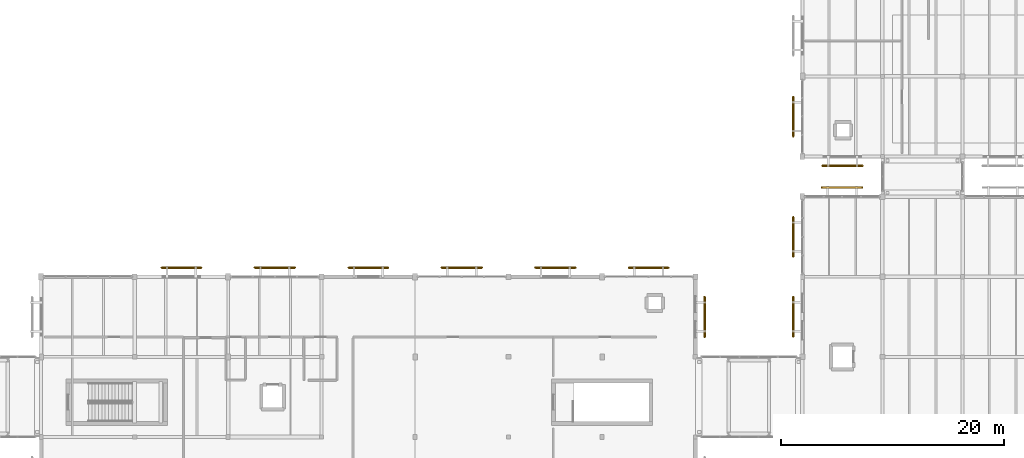
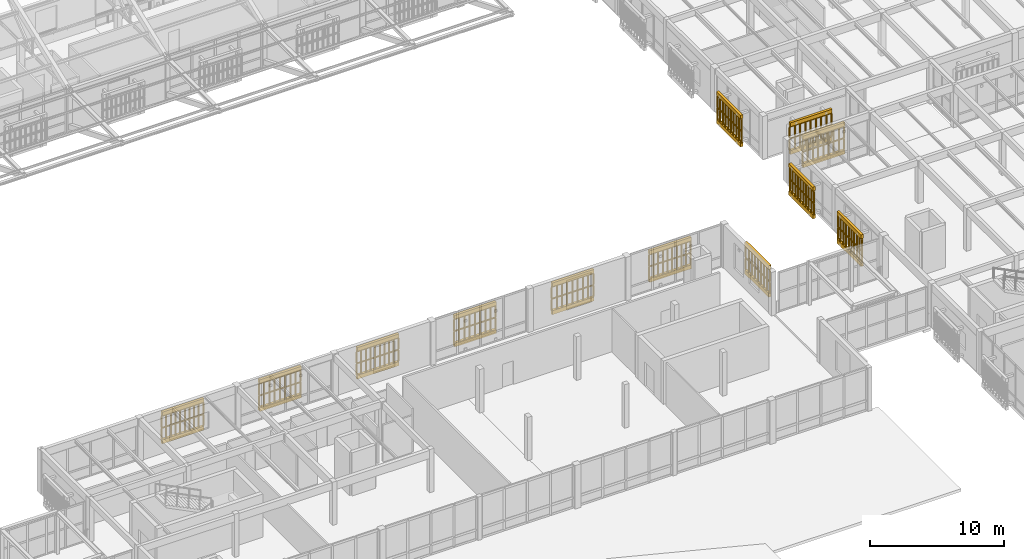
# One storey, part 203 of 217: 24 coverings, 24 railings.
"""IFC4 building model written with IfcOpenShell, lengths in metres."""

from ifc_helpers import new_model, si_unit, direction, frame, origin, origin_2d, place, context, subcontext, project, spatial, polyline, circle, outline, extrude, material, layer, layer_set, type_object, element, save


model = new_model("IFC4")

# Units and contexts
model_context = context("Model", 3, precision=1e-05, world=origin(), true_north=direction((0.0, 1.0)))
body_context = subcontext(model_context, "Body", "Model", "MODEL_VIEW")
ifc_project = project(units=[si_unit("LENGTHUNIT", "METRE"), si_unit("AREAUNIT", "SQUARE_METRE"), si_unit("VOLUMEUNIT", "CUBIC_METRE"), si_unit("PLANEANGLEUNIT", "RADIAN"), si_unit("MASSUNIT", "GRAM", prefix="KILO")], contexts=[model_context])

# Site, building, storey
site_placement = place(None, origin())
site = spatial("IfcSite", under=ifc_project, at=site_placement, CompositionType="ELEMENT")
building_placement = place(site_placement, origin())
building = spatial("IfcBuilding", under=site, at=building_placement, Name="Mazaris Harbour Polytechnic", CompositionType="ELEMENT")
storey_placement = place(building_placement, frame((0.0, 0.0, 9.60009765625)))
storey = spatial("IfcBuildingStorey", under=building, at=storey_placement, Name="L02", CompositionType="ELEMENT", Elevation=9.60009765625)

# Railings
ifc_material_1 = material(Name="Perforated Earth-Coloured Terracotta Block", Category="masonry")
railing_type = type_object("IfcRailingType", Name="Perforated Earth-Block Claustra Lattice 1040", PredefinedType="BALUSTRADE", material=ifc_material_1)
for number, where, name in (
    (1, (124.175048828125, 44.02001953125, 0.52001953125), "V2 L02 Lower Perforated Terracotta Block Screen 74"),
    (2, (124.175048828125, 44.02001953125, 1.60986328125), "V2 L02 Upper Perforated Terracotta Block Screen 74"),
):
    element("IfcRailing", number, at=place(storey_placement, frame(where)), inside=storey, type_object=railing_type, Name=name, PredefinedType="BALUSTRADE", context=body_context, shape_type="SweptSolid", body=[
        extrude(circle(Radius=0.06982421875, at=origin_2d()), frame((0.0, 0.0, 1.02001953125), z_axis=(1.0, 0.0, 0.0), x_axis=(0.0, 1.0, 0.0)), (0.0, 0.0, 1.0), 3.599853515625),
        extrude(circle(Radius=0.074951171875, at=origin_2d()), origin(), (0.0, 0.0, 1.0), 0.9501953125),
        extrude(circle(Radius=0.074951171875, at=origin_2d()), frame((0.449951171875, 0.0, 0.0)), (0.0, 0.0, 1.0), 0.9501953125),
        extrude(circle(Radius=0.074951171875, at=origin_2d()), frame((0.89990234375, 0.0, 0.0)), (0.0, 0.0, 1.0), 0.9501953125),
        extrude(circle(Radius=0.074951171875, at=origin_2d()), frame((1.349853515625, 0.0, 0.0)), (0.0, 0.0, 1.0), 0.9501953125),
        extrude(circle(Radius=0.074951171875, at=origin_2d()), frame((1.7998046875, 0.0, 0.0)), (0.0, 0.0, 1.0), 0.9501953125),
        extrude(circle(Radius=0.074951171875, at=origin_2d()), frame((2.25, 0.0, 0.0)), (0.0, 0.0, 1.0), 0.9501953125),
        extrude(circle(Radius=0.074951171875, at=origin_2d()), frame((2.699951171875, 0.0, 0.0)), (0.0, 0.0, 1.0), 0.9501953125),
        extrude(circle(Radius=0.074951171875, at=origin_2d()), frame((3.14990234375, 0.0, 0.0)), (0.0, 0.0, 1.0), 0.9501953125),
        extrude(circle(Radius=0.074951171875, at=origin_2d()), frame((3.599853515625, 0.0, 0.0)), (0.0, 0.0, 1.0), 0.9501953125),
    ])
for number, where, name in (
    (3, (121.580078125, 30.60498046875, 0.52001953125), "V2 L02 Lower Perforated Terracotta Block Screen 82"),
    (4, (121.580078125, 30.60498046875, 1.60986328125), "V2 L02 Upper Perforated Terracotta Block Screen 82"),
    (5, (121.580078125, 37.784912109375, 0.52001953125), "V2 L02 Lower Perforated Terracotta Block Screen 83"),
    (6, (121.580078125, 37.784912109375, 1.60986328125), "V2 L02 Upper Perforated Terracotta Block Screen 83"),
):
    element("IfcRailing", number, at=place(storey_placement, frame(where)), inside=storey, type_object=railing_type, Name=name, PredefinedType="BALUSTRADE", context=body_context, shape_type="SweptSolid", body=[
        extrude(circle(Radius=0.06982421875, at=origin_2d()), frame((0.0, 0.0, 1.02001953125), z_axis=(0.0, 1.0, 0.0), x_axis=(-1.0, 0.0, 0.0)), (0.0, 0.0, 1.0), 3.60009765625),
        extrude(circle(Radius=0.074951171875, at=origin_2d()), origin(), (0.0, 0.0, 1.0), 0.9501953125),
        extrude(circle(Radius=0.074951171875, at=origin_2d()), frame((0.0, 0.39990234375, 0.0)), (0.0, 0.0, 1.0), 0.9501953125),
        extrude(circle(Radius=0.074951171875, at=origin_2d()), frame((0.0, 0.800048828125, 0.0)), (0.0, 0.0, 1.0), 0.9501953125),
        extrude(circle(Radius=0.074951171875, at=origin_2d()), frame((0.0, 1.199951171875, 0.0)), (0.0, 0.0, 1.0), 0.9501953125),
        extrude(circle(Radius=0.074951171875, at=origin_2d()), frame((0.0, 1.60009765625, 0.0)), (0.0, 0.0, 1.0), 0.9501953125),
        extrude(circle(Radius=0.074951171875, at=origin_2d()), frame((0.0, 2.0, 0.0)), (0.0, 0.0, 1.0), 0.9501953125),
        extrude(circle(Radius=0.074951171875, at=origin_2d()), frame((0.0, 2.400146484375, 0.0)), (0.0, 0.0, 1.0), 0.9501953125),
        extrude(circle(Radius=0.074951171875, at=origin_2d()), frame((0.0, 2.800048828125, 0.0)), (0.0, 0.0, 1.0), 0.9501953125),
        extrude(circle(Radius=0.074951171875, at=origin_2d()), frame((0.0, 3.2001953125, 0.0)), (0.0, 0.0, 1.0), 0.9501953125),
        extrude(circle(Radius=0.074951171875, at=origin_2d()), frame((0.0, 3.60009765625, 0.0)), (0.0, 0.0, 1.0), 0.9501953125),
    ])
for number, where, name in (
    (7, (64.804931640625, 36.820068359375, 0.52001953125), "V3 L02 Lower Perforated Terracotta Block Screen 122"),
    (8, (64.804931640625, 36.820068359375, 1.60986328125), "V3 L02 Upper Perforated Terracotta Block Screen 122"),
):
    element("IfcRailing", number, at=place(storey_placement, frame(where)), inside=storey, type_object=railing_type, Name=name, PredefinedType="BALUSTRADE", context=body_context, shape_type="SweptSolid", body=[
        extrude(circle(Radius=0.06982421875, at=origin_2d()), frame((0.0, 0.0, 1.02001953125), z_axis=(1.0, 0.0, 0.0), x_axis=(0.0, 1.0, 0.0)), (0.0, 0.0, 1.0), 3.60009765625),
        extrude(circle(Radius=0.074951171875, at=origin_2d()), origin(), (0.0, 0.0, 1.0), 0.9501953125),
        extrude(circle(Radius=0.074951171875, at=origin_2d()), frame((0.39990234375, 0.0, 0.0)), (0.0, 0.0, 1.0), 0.9501953125),
        extrude(circle(Radius=0.074951171875, at=origin_2d()), frame((0.800048828125, 0.0, 0.0)), (0.0, 0.0, 1.0), 0.9501953125),
        extrude(circle(Radius=0.074951171875, at=origin_2d()), frame((1.199951171875, 0.0, 0.0)), (0.0, 0.0, 1.0), 0.9501953125),
        extrude(circle(Radius=0.074951171875, at=origin_2d()), frame((1.60009765625, 0.0, 0.0)), (0.0, 0.0, 1.0), 0.9501953125),
        extrude(circle(Radius=0.074951171875, at=origin_2d()), frame((2.0, 0.0, 0.0)), (0.0, 0.0, 1.0), 0.9501953125),
        extrude(circle(Radius=0.074951171875, at=origin_2d()), frame((2.400146484375, 0.0, 0.0)), (0.0, 0.0, 1.0), 0.9501953125),
        extrude(circle(Radius=0.074951171875, at=origin_2d()), frame((2.800048828125, 0.0, 0.0)), (0.0, 0.0, 1.0), 0.9501953125),
        extrude(circle(Radius=0.074951171875, at=origin_2d()), frame((3.2001953125, 0.0, 0.0)), (0.0, 0.0, 1.0), 0.9501953125),
        extrude(circle(Radius=0.074951171875, at=origin_2d()), frame((3.60009765625, 0.0, 0.0)), (0.0, 0.0, 1.0), 0.9501953125),
    ])
for number, where, name in (
    (9, (73.195068359375, 36.820068359375, 0.52001953125), "V3 L02 Lower Perforated Terracotta Block Screen 123"),
    (10, (73.195068359375, 36.820068359375, 1.60986328125), "V3 L02 Upper Perforated Terracotta Block Screen 123"),
):
    element("IfcRailing", number, at=place(storey_placement, frame(where)), inside=storey, type_object=railing_type, Name=name, PredefinedType="BALUSTRADE", context=body_context, shape_type="SweptSolid", body=[
        extrude(circle(Radius=0.06982421875, at=origin_2d()), frame((0.0, 0.0, 1.02001953125), z_axis=(1.0, 0.0, 0.0), x_axis=(0.0, 1.0, 0.0)), (0.0, 0.0, 1.0), 3.599853515625),
        extrude(circle(Radius=0.074951171875, at=origin_2d()), origin(), (0.0, 0.0, 1.0), 0.9501953125),
        extrude(circle(Radius=0.074951171875, at=origin_2d()), frame((0.449951171875, 0.0, 0.0)), (0.0, 0.0, 1.0), 0.9501953125),
        extrude(circle(Radius=0.074951171875, at=origin_2d()), frame((0.89990234375, 0.0, 0.0)), (0.0, 0.0, 1.0), 0.9501953125),
        extrude(circle(Radius=0.074951171875, at=origin_2d()), frame((1.349853515625, 0.0, 0.0)), (0.0, 0.0, 1.0), 0.9501953125),
        extrude(circle(Radius=0.074951171875, at=origin_2d()), frame((1.7998046875, 0.0, 0.0)), (0.0, 0.0, 1.0), 0.9501953125),
        extrude(circle(Radius=0.074951171875, at=origin_2d()), frame((2.25, 0.0, 0.0)), (0.0, 0.0, 1.0), 0.9501953125),
        extrude(circle(Radius=0.074951171875, at=origin_2d()), frame((2.699951171875, 0.0, 0.0)), (0.0, 0.0, 1.0), 0.9501953125),
        extrude(circle(Radius=0.074951171875, at=origin_2d()), frame((3.14990234375, 0.0, 0.0)), (0.0, 0.0, 1.0), 0.9501953125),
        extrude(circle(Radius=0.074951171875, at=origin_2d()), frame((3.599853515625, 0.0, 0.0)), (0.0, 0.0, 1.0), 0.9501953125),
    ])
for number, where, name in (
    (11, (81.60498046875, 36.820068359375, 0.52001953125), "V3 L02 Lower Perforated Terracotta Block Screen 124"),
    (12, (81.60498046875, 36.820068359375, 1.60986328125), "V3 L02 Upper Perforated Terracotta Block Screen 124"),
):
    element("IfcRailing", number, at=place(storey_placement, frame(where)), inside=storey, type_object=railing_type, Name=name, PredefinedType="BALUSTRADE", context=body_context, shape_type="SweptSolid", body=[
        extrude(circle(Radius=0.06982421875, at=origin_2d()), frame((0.0, 0.0, 1.02001953125), z_axis=(1.0, 0.0, 0.0), x_axis=(0.0, 1.0, 0.0)), (0.0, 0.0, 1.0), 3.60009765625),
        extrude(circle(Radius=0.074951171875, at=origin_2d()), origin(), (0.0, 0.0, 1.0), 0.9501953125),
        extrude(circle(Radius=0.074951171875, at=origin_2d()), frame((0.39990234375, 0.0, 0.0)), (0.0, 0.0, 1.0), 0.9501953125),
        extrude(circle(Radius=0.074951171875, at=origin_2d()), frame((0.800048828125, 0.0, 0.0)), (0.0, 0.0, 1.0), 0.9501953125),
        extrude(circle(Radius=0.074951171875, at=origin_2d()), frame((1.199951171875, 0.0, 0.0)), (0.0, 0.0, 1.0), 0.9501953125),
        extrude(circle(Radius=0.074951171875, at=origin_2d()), frame((1.60009765625, 0.0, 0.0)), (0.0, 0.0, 1.0), 0.9501953125),
        extrude(circle(Radius=0.074951171875, at=origin_2d()), frame((2.0, 0.0, 0.0)), (0.0, 0.0, 1.0), 0.9501953125),
        extrude(circle(Radius=0.074951171875, at=origin_2d()), frame((2.400146484375, 0.0, 0.0)), (0.0, 0.0, 1.0), 0.9501953125),
        extrude(circle(Radius=0.074951171875, at=origin_2d()), frame((2.800048828125, 0.0, 0.0)), (0.0, 0.0, 1.0), 0.9501953125),
        extrude(circle(Radius=0.074951171875, at=origin_2d()), frame((3.2001953125, 0.0, 0.0)), (0.0, 0.0, 1.0), 0.9501953125),
        extrude(circle(Radius=0.074951171875, at=origin_2d()), frame((3.60009765625, 0.0, 0.0)), (0.0, 0.0, 1.0), 0.9501953125),
    ])
for number, where, name in (
    (13, (89.9951171875, 36.820068359375, 0.52001953125), "V3 L02 Lower Perforated Terracotta Block Screen 125"),
    (14, (89.9951171875, 36.820068359375, 1.60986328125), "V3 L02 Upper Perforated Terracotta Block Screen 125"),
    (15, (98.405029296875, 36.820068359375, 0.52001953125), "V3 L02 Lower Perforated Terracotta Block Screen 126"),
    (16, (98.405029296875, 36.820068359375, 1.60986328125), "V3 L02 Upper Perforated Terracotta Block Screen 126"),
):
    element("IfcRailing", number, at=place(storey_placement, frame(where)), inside=storey, type_object=railing_type, Name=name, PredefinedType="BALUSTRADE", context=body_context, shape_type="SweptSolid", body=[
        extrude(circle(Radius=0.06982421875, at=origin_2d()), frame((0.0, 0.0, 1.02001953125), z_axis=(1.0, 0.0, 0.0), x_axis=(0.0, 1.0, 0.0)), (0.0, 0.0, 1.0), 3.599853515625),
        extrude(circle(Radius=0.074951171875, at=origin_2d()), origin(), (0.0, 0.0, 1.0), 0.9501953125),
        extrude(circle(Radius=0.074951171875, at=origin_2d()), frame((0.449951171875, 0.0, 0.0)), (0.0, 0.0, 1.0), 0.9501953125),
        extrude(circle(Radius=0.074951171875, at=origin_2d()), frame((0.89990234375, 0.0, 0.0)), (0.0, 0.0, 1.0), 0.9501953125),
        extrude(circle(Radius=0.074951171875, at=origin_2d()), frame((1.349853515625, 0.0, 0.0)), (0.0, 0.0, 1.0), 0.9501953125),
        extrude(circle(Radius=0.074951171875, at=origin_2d()), frame((1.7998046875, 0.0, 0.0)), (0.0, 0.0, 1.0), 0.9501953125),
        extrude(circle(Radius=0.074951171875, at=origin_2d()), frame((2.25, 0.0, 0.0)), (0.0, 0.0, 1.0), 0.9501953125),
        extrude(circle(Radius=0.074951171875, at=origin_2d()), frame((2.699951171875, 0.0, 0.0)), (0.0, 0.0, 1.0), 0.9501953125),
        extrude(circle(Radius=0.074951171875, at=origin_2d()), frame((3.14990234375, 0.0, 0.0)), (0.0, 0.0, 1.0), 0.9501953125),
        extrude(circle(Radius=0.074951171875, at=origin_2d()), frame((3.599853515625, 0.0, 0.0)), (0.0, 0.0, 1.0), 0.9501953125),
    ])
for number, where, name in (
    (17, (106.794921875, 36.820068359375, 0.52001953125), "V3 L02 Lower Perforated Terracotta Block Screen 127"),
    (18, (106.794921875, 36.820068359375, 1.60986328125), "V3 L02 Upper Perforated Terracotta Block Screen 127"),
):
    element("IfcRailing", number, at=place(storey_placement, frame(where)), inside=storey, type_object=railing_type, Name=name, PredefinedType="BALUSTRADE", context=body_context, shape_type="SweptSolid", body=[
        extrude(circle(Radius=0.06982421875, at=origin_2d()), frame((0.0, 0.0, 1.02001953125), z_axis=(1.0, 0.0, 0.0), x_axis=(0.0, 1.0, 0.0)), (0.0, 0.0, 1.0), 3.60009765625),
        extrude(circle(Radius=0.074951171875, at=origin_2d()), origin(), (0.0, 0.0, 1.0), 0.9501953125),
        extrude(circle(Radius=0.074951171875, at=origin_2d()), frame((0.39990234375, 0.0, 0.0)), (0.0, 0.0, 1.0), 0.9501953125),
        extrude(circle(Radius=0.074951171875, at=origin_2d()), frame((0.800048828125, 0.0, 0.0)), (0.0, 0.0, 1.0), 0.9501953125),
        extrude(circle(Radius=0.074951171875, at=origin_2d()), frame((1.199951171875, 0.0, 0.0)), (0.0, 0.0, 1.0), 0.9501953125),
        extrude(circle(Radius=0.074951171875, at=origin_2d()), frame((1.60009765625, 0.0, 0.0)), (0.0, 0.0, 1.0), 0.9501953125),
        extrude(circle(Radius=0.074951171875, at=origin_2d()), frame((2.0, 0.0, 0.0)), (0.0, 0.0, 1.0), 0.9501953125),
        extrude(circle(Radius=0.074951171875, at=origin_2d()), frame((2.400146484375, 0.0, 0.0)), (0.0, 0.0, 1.0), 0.9501953125),
        extrude(circle(Radius=0.074951171875, at=origin_2d()), frame((2.800048828125, 0.0, 0.0)), (0.0, 0.0, 1.0), 0.9501953125),
        extrude(circle(Radius=0.074951171875, at=origin_2d()), frame((3.2001953125, 0.0, 0.0)), (0.0, 0.0, 1.0), 0.9501953125),
        extrude(circle(Radius=0.074951171875, at=origin_2d()), frame((3.60009765625, 0.0, 0.0)), (0.0, 0.0, 1.0), 0.9501953125),
    ])
for number, where, name in (
    (19, (113.6201171875, 34.18994140625, 0.52001953125), "V3 L02 Lower Perforated Terracotta Block Screen 131"),
    (20, (113.6201171875, 34.18994140625, 1.60986328125), "V3 L02 Upper Perforated Terracotta Block Screen 131"),
):
    element("IfcRailing", number, at=place(storey_placement, frame(where)), inside=storey, type_object=railing_type, Name=name, PredefinedType="BALUSTRADE", context=body_context, shape_type="SweptSolid", body=[
        extrude(circle(Radius=0.06982421875, at=origin_2d()), frame((0.0, 0.0, 1.02001953125), z_axis=(0.0, -1.0, 0.0), x_axis=(1.0, 0.0, 0.0)), (0.0, 0.0, 1.0), 3.599853515625),
        extrude(circle(Radius=0.074951171875, at=origin_2d()), origin(), (0.0, 0.0, 1.0), 0.9501953125),
        extrude(circle(Radius=0.074951171875, at=origin_2d()), frame((0.0, -0.449951171875, 0.0)), (0.0, 0.0, 1.0), 0.9501953125),
        extrude(circle(Radius=0.074951171875, at=origin_2d()), frame((0.0, -0.89990234375, 0.0)), (0.0, 0.0, 1.0), 0.9501953125),
        extrude(circle(Radius=0.074951171875, at=origin_2d()), frame((0.0, -1.349853515625, 0.0)), (0.0, 0.0, 1.0), 0.9501953125),
        extrude(circle(Radius=0.074951171875, at=origin_2d()), frame((0.0, -1.7998046875, 0.0)), (0.0, 0.0, 1.0), 0.9501953125),
        extrude(circle(Radius=0.074951171875, at=origin_2d()), frame((0.0, -2.25, 0.0)), (0.0, 0.0, 1.0), 0.9501953125),
        extrude(circle(Radius=0.074951171875, at=origin_2d()), frame((0.0, -2.699951171875, 0.0)), (0.0, 0.0, 1.0), 0.9501953125),
        extrude(circle(Radius=0.074951171875, at=origin_2d()), frame((0.0, -3.14990234375, 0.0)), (0.0, 0.0, 1.0), 0.9501953125),
        extrude(circle(Radius=0.074951171875, at=origin_2d()), frame((0.0, -3.599853515625, 0.0)), (0.0, 0.0, 1.0), 0.9501953125),
    ])
for number, where, name in (
    (21, (127.81494140625, 45.97998046875, 0.52001953125), "V5 L02 Lower Perforated Terracotta Block Screen 406"),
    (22, (127.81494140625, 45.97998046875, 1.60986328125), "V5 L02 Upper Perforated Terracotta Block Screen 406"),
):
    element("IfcRailing", number, at=place(storey_placement, frame(where)), inside=storey, type_object=railing_type, Name=name, PredefinedType="BALUSTRADE", context=body_context, shape_type="SweptSolid", body=[
        extrude(circle(Radius=0.06982421875, at=origin_2d()), frame((0.0, 0.0, 1.02001953125), z_axis=(-1.0, 0.0, 0.0), x_axis=(0.0, -1.0, 0.0)), (0.0, 0.0, 1.0), 3.599853515625),
        extrude(circle(Radius=0.074951171875, at=origin_2d()), origin(), (0.0, 0.0, 1.0), 0.9501953125),
        extrude(circle(Radius=0.074951171875, at=origin_2d()), frame((-0.449951171875, 0.0, 0.0)), (0.0, 0.0, 1.0), 0.9501953125),
        extrude(circle(Radius=0.074951171875, at=origin_2d()), frame((-0.89990234375, 0.0, 0.0)), (0.0, 0.0, 1.0), 0.9501953125),
        extrude(circle(Radius=0.074951171875, at=origin_2d()), frame((-1.349853515625, 0.0, 0.0)), (0.0, 0.0, 1.0), 0.9501953125),
        extrude(circle(Radius=0.074951171875, at=origin_2d()), frame((-1.7998046875, 0.0, 0.0)), (0.0, 0.0, 1.0), 0.9501953125),
        extrude(circle(Radius=0.074951171875, at=origin_2d()), frame((-2.25, 0.0, 0.0)), (0.0, 0.0, 1.0), 0.9501953125),
        extrude(circle(Radius=0.074951171875, at=origin_2d()), frame((-2.699951171875, 0.0, 0.0)), (0.0, 0.0, 1.0), 0.9501953125),
        extrude(circle(Radius=0.074951171875, at=origin_2d()), frame((-3.14990234375, 0.0, 0.0)), (0.0, 0.0, 1.0), 0.9501953125),
        extrude(circle(Radius=0.074951171875, at=origin_2d()), frame((-3.599853515625, 0.0, 0.0)), (0.0, 0.0, 1.0), 0.9501953125),
    ])
for number, where, name in (
    (23, (121.580078125, 48.5849609375, 0.52001953125), "V5 L02 Lower Perforated Terracotta Block Screen 419"),
    (24, (121.580078125, 48.5849609375, 1.60986328125), "V5 L02 Upper Perforated Terracotta Block Screen 419"),
):
    element("IfcRailing", number, at=place(storey_placement, frame(where)), inside=storey, type_object=railing_type, Name=name, PredefinedType="BALUSTRADE", context=body_context, shape_type="SweptSolid", body=[
        extrude(circle(Radius=0.06982421875, at=origin_2d()), frame((0.0, 0.0, 1.02001953125), z_axis=(0.0, 1.0, 0.0), x_axis=(-1.0, 0.0, 0.0)), (0.0, 0.0, 1.0), 3.60009765625),
        extrude(circle(Radius=0.074951171875, at=origin_2d()), origin(), (0.0, 0.0, 1.0), 0.9501953125),
        extrude(circle(Radius=0.074951171875, at=origin_2d()), frame((0.0, 0.39990234375, 0.0)), (0.0, 0.0, 1.0), 0.9501953125),
        extrude(circle(Radius=0.074951171875, at=origin_2d()), frame((0.0, 0.800048828125, 0.0)), (0.0, 0.0, 1.0), 0.9501953125),
        extrude(circle(Radius=0.074951171875, at=origin_2d()), frame((0.0, 1.199951171875, 0.0)), (0.0, 0.0, 1.0), 0.9501953125),
        extrude(circle(Radius=0.074951171875, at=origin_2d()), frame((0.0, 1.60009765625, 0.0)), (0.0, 0.0, 1.0), 0.9501953125),
        extrude(circle(Radius=0.074951171875, at=origin_2d()), frame((0.0, 2.0, 0.0)), (0.0, 0.0, 1.0), 0.9501953125),
        extrude(circle(Radius=0.074951171875, at=origin_2d()), frame((0.0, 2.400146484375, 0.0)), (0.0, 0.0, 1.0), 0.9501953125),
        extrude(circle(Radius=0.074951171875, at=origin_2d()), frame((0.0, 2.800048828125, 0.0)), (0.0, 0.0, 1.0), 0.9501953125),
        extrude(circle(Radius=0.074951171875, at=origin_2d()), frame((0.0, 3.2001953125, 0.0)), (0.0, 0.0, 1.0), 0.9501953125),
        extrude(circle(Radius=0.074951171875, at=origin_2d()), frame((0.0, 3.60009765625, 0.0)), (0.0, 0.0, 1.0), 0.9501953125),
    ])

# Coverings
ifc_material_2 = material(Name="Perforated Earth-Coloured Terracotta Block", Category="masonry")
ifc_layer = layer(ifc_material_2, 0.219970703125, Name="Perforated Earth-Coloured Terracotta Block")
ifc_layer_set = layer_set([ifc_layer], Name="Perforated Earth-Coloured Terracotta Block")
covering_type = type_object("IfcCoveringType", Name="Terracotta Screen Course Cladding 220", PredefinedType="CLADDING", material=ifc_layer_set)
covering_1_placement = place(storey_placement, frame((0.0, 0.0, 0.159912109375)))
element("IfcCovering", 25, at=covering_1_placement, inside=storey, type_object=covering_type, Name="V2 L02 Perforated Screen Sill Course 74", PredefinedType="CLADDING", context=body_context, shape_type="SweptSolid", body=[
    extrude(outline(polyline([(124.175048828125, 43.909912109375), (127.77490234375, 43.909912109375), (127.77490234375, 44.1298828125), (124.175048828125, 44.1298828125), (124.175048828125, 43.909912109375)])), origin(), (0.0, 0.0, 1.0), 0.360107421875),
])
covering_2_placement = place(storey_placement, frame((0.0, 0.0, 2.699951171875)))
element("IfcCovering", 26, at=covering_2_placement, inside=storey, type_object=covering_type, Name="V2 L02 Perforated Screen Lintel Course 74", PredefinedType="CLADDING", context=body_context, shape_type="SweptSolid", body=[
    extrude(outline(polyline([(124.175048828125, 43.909912109375), (127.77490234375, 43.909912109375), (127.77490234375, 44.1298828125), (124.175048828125, 44.1298828125), (124.175048828125, 43.909912109375)])), origin(), (0.0, 0.0, 1.0), 0.33984375),
])
covering_3_placement = place(storey_placement, frame((0.0, 0.0, 0.159912109375)))
element("IfcCovering", 27, at=covering_3_placement, inside=storey, type_object=covering_type, Name="V2 L02 Perforated Screen Sill Course 82", PredefinedType="CLADDING", context=body_context, shape_type="SweptSolid", body=[
    extrude(outline(polyline([(121.68994140625, 30.60498046875), (121.68994140625, 34.205078125), (121.469970703125, 34.205078125), (121.469970703125, 30.60498046875), (121.68994140625, 30.60498046875)])), origin(), (0.0, 0.0, 1.0), 0.360107421875),
])
covering_4_placement = place(storey_placement, frame((0.0, 0.0, 2.699951171875)))
element("IfcCovering", 28, at=covering_4_placement, inside=storey, type_object=covering_type, Name="V2 L02 Perforated Screen Lintel Course 82", PredefinedType="CLADDING", context=body_context, shape_type="SweptSolid", body=[
    extrude(outline(polyline([(121.68994140625, 30.60498046875), (121.68994140625, 34.205078125), (121.469970703125, 34.205078125), (121.469970703125, 30.60498046875), (121.68994140625, 30.60498046875)])), origin(), (0.0, 0.0, 1.0), 0.33984375),
])
covering_5_placement = place(storey_placement, frame((0.0, 0.0, 0.159912109375)))
element("IfcCovering", 29, at=covering_5_placement, inside=storey, type_object=covering_type, Name="V2 L02 Perforated Screen Sill Course 83", PredefinedType="CLADDING", context=body_context, shape_type="SweptSolid", body=[
    extrude(outline(polyline([(121.68994140625, 37.784912109375), (121.68994140625, 41.385009765625), (121.469970703125, 41.385009765625), (121.469970703125, 37.784912109375), (121.68994140625, 37.784912109375)])), origin(), (0.0, 0.0, 1.0), 0.360107421875),
])
covering_6_placement = place(storey_placement, frame((0.0, 0.0, 2.699951171875)))
element("IfcCovering", 30, at=covering_6_placement, inside=storey, type_object=covering_type, Name="V2 L02 Perforated Screen Lintel Course 83", PredefinedType="CLADDING", context=body_context, shape_type="SweptSolid", body=[
    extrude(outline(polyline([(121.68994140625, 37.784912109375), (121.68994140625, 41.385009765625), (121.469970703125, 41.385009765625), (121.469970703125, 37.784912109375), (121.68994140625, 37.784912109375)])), origin(), (0.0, 0.0, 1.0), 0.33984375),
])
covering_7_placement = place(storey_placement, frame((0.0, 0.0, 0.159912109375)))
element("IfcCovering", 31, at=covering_7_placement, inside=storey, type_object=covering_type, Name="V3 L02 Perforated Screen Sill Course 122", PredefinedType="CLADDING", context=body_context, shape_type="SweptSolid", body=[
    extrude(outline(polyline([(64.804931640625, 36.7099609375), (68.405029296875, 36.7099609375), (68.405029296875, 36.929931640625), (64.804931640625, 36.929931640625), (64.804931640625, 36.7099609375)])), origin(), (0.0, 0.0, 1.0), 0.360107421875),
])
covering_8_placement = place(storey_placement, frame((0.0, 0.0, 2.699951171875)))
element("IfcCovering", 32, at=covering_8_placement, inside=storey, type_object=covering_type, Name="V3 L02 Perforated Screen Lintel Course 122", PredefinedType="CLADDING", context=body_context, shape_type="SweptSolid", body=[
    extrude(outline(polyline([(64.804931640625, 36.7099609375), (68.405029296875, 36.7099609375), (68.405029296875, 36.929931640625), (64.804931640625, 36.929931640625), (64.804931640625, 36.7099609375)])), origin(), (0.0, 0.0, 1.0), 0.33984375),
])
covering_9_placement = place(storey_placement, frame((0.0, 0.0, 0.159912109375)))
element("IfcCovering", 33, at=covering_9_placement, inside=storey, type_object=covering_type, Name="V3 L02 Perforated Screen Sill Course 123", PredefinedType="CLADDING", context=body_context, shape_type="SweptSolid", body=[
    extrude(outline(polyline([(73.195068359375, 36.7099609375), (76.794921875, 36.7099609375), (76.794921875, 36.929931640625), (73.195068359375, 36.929931640625), (73.195068359375, 36.7099609375)])), origin(), (0.0, 0.0, 1.0), 0.360107421875),
])
covering_10_placement = place(storey_placement, frame((0.0, 0.0, 2.699951171875)))
element("IfcCovering", 34, at=covering_10_placement, inside=storey, type_object=covering_type, Name="V3 L02 Perforated Screen Lintel Course 123", PredefinedType="CLADDING", context=body_context, shape_type="SweptSolid", body=[
    extrude(outline(polyline([(73.195068359375, 36.7099609375), (76.794921875, 36.7099609375), (76.794921875, 36.929931640625), (73.195068359375, 36.929931640625), (73.195068359375, 36.7099609375)])), origin(), (0.0, 0.0, 1.0), 0.33984375),
])
covering_11_placement = place(storey_placement, frame((0.0, 0.0, 0.159912109375)))
element("IfcCovering", 35, at=covering_11_placement, inside=storey, type_object=covering_type, Name="V3 L02 Perforated Screen Sill Course 124", PredefinedType="CLADDING", context=body_context, shape_type="SweptSolid", body=[
    extrude(outline(polyline([(81.60498046875, 36.7099609375), (85.205078125, 36.7099609375), (85.205078125, 36.929931640625), (81.60498046875, 36.929931640625), (81.60498046875, 36.7099609375)])), origin(), (0.0, 0.0, 1.0), 0.360107421875),
])
covering_12_placement = place(storey_placement, frame((0.0, 0.0, 2.699951171875)))
element("IfcCovering", 36, at=covering_12_placement, inside=storey, type_object=covering_type, Name="V3 L02 Perforated Screen Lintel Course 124", PredefinedType="CLADDING", context=body_context, shape_type="SweptSolid", body=[
    extrude(outline(polyline([(81.60498046875, 36.7099609375), (85.205078125, 36.7099609375), (85.205078125, 36.929931640625), (81.60498046875, 36.929931640625), (81.60498046875, 36.7099609375)])), origin(), (0.0, 0.0, 1.0), 0.33984375),
])
covering_13_placement = place(storey_placement, frame((0.0, 0.0, 0.159912109375)))
element("IfcCovering", 37, at=covering_13_placement, inside=storey, type_object=covering_type, Name="V3 L02 Perforated Screen Sill Course 125", PredefinedType="CLADDING", context=body_context, shape_type="SweptSolid", body=[
    extrude(outline(polyline([(89.9951171875, 36.7099609375), (93.594970703125, 36.7099609375), (93.594970703125, 36.929931640625), (89.9951171875, 36.929931640625), (89.9951171875, 36.7099609375)])), origin(), (0.0, 0.0, 1.0), 0.360107421875),
])
covering_14_placement = place(storey_placement, frame((0.0, 0.0, 2.699951171875)))
element("IfcCovering", 38, at=covering_14_placement, inside=storey, type_object=covering_type, Name="V3 L02 Perforated Screen Lintel Course 125", PredefinedType="CLADDING", context=body_context, shape_type="SweptSolid", body=[
    extrude(outline(polyline([(89.9951171875, 36.7099609375), (93.594970703125, 36.7099609375), (93.594970703125, 36.929931640625), (89.9951171875, 36.929931640625), (89.9951171875, 36.7099609375)])), origin(), (0.0, 0.0, 1.0), 0.33984375),
])
covering_15_placement = place(storey_placement, frame((0.0, 0.0, 0.159912109375)))
element("IfcCovering", 39, at=covering_15_placement, inside=storey, type_object=covering_type, Name="V3 L02 Perforated Screen Sill Course 126", PredefinedType="CLADDING", context=body_context, shape_type="SweptSolid", body=[
    extrude(outline(polyline([(98.405029296875, 36.7099609375), (102.0048828125, 36.7099609375), (102.0048828125, 36.929931640625), (98.405029296875, 36.929931640625), (98.405029296875, 36.7099609375)])), origin(), (0.0, 0.0, 1.0), 0.360107421875),
])
covering_16_placement = place(storey_placement, frame((0.0, 0.0, 2.699951171875)))
element("IfcCovering", 40, at=covering_16_placement, inside=storey, type_object=covering_type, Name="V3 L02 Perforated Screen Lintel Course 126", PredefinedType="CLADDING", context=body_context, shape_type="SweptSolid", body=[
    extrude(outline(polyline([(98.405029296875, 36.7099609375), (102.0048828125, 36.7099609375), (102.0048828125, 36.929931640625), (98.405029296875, 36.929931640625), (98.405029296875, 36.7099609375)])), origin(), (0.0, 0.0, 1.0), 0.33984375),
])
covering_17_placement = place(storey_placement, frame((0.0, 0.0, 0.159912109375)))
element("IfcCovering", 41, at=covering_17_placement, inside=storey, type_object=covering_type, Name="V3 L02 Perforated Screen Sill Course 127", PredefinedType="CLADDING", context=body_context, shape_type="SweptSolid", body=[
    extrude(outline(polyline([(106.794921875, 36.7099609375), (110.39501953125, 36.7099609375), (110.39501953125, 36.929931640625), (106.794921875, 36.929931640625), (106.794921875, 36.7099609375)])), origin(), (0.0, 0.0, 1.0), 0.360107421875),
])
covering_18_placement = place(storey_placement, frame((0.0, 0.0, 2.699951171875)))
element("IfcCovering", 42, at=covering_18_placement, inside=storey, type_object=covering_type, Name="V3 L02 Perforated Screen Lintel Course 127", PredefinedType="CLADDING", context=body_context, shape_type="SweptSolid", body=[
    extrude(outline(polyline([(106.794921875, 36.7099609375), (110.39501953125, 36.7099609375), (110.39501953125, 36.929931640625), (106.794921875, 36.929931640625), (106.794921875, 36.7099609375)])), origin(), (0.0, 0.0, 1.0), 0.33984375),
])
covering_19_placement = place(storey_placement, frame((0.0, 0.0, 0.159912109375)))
element("IfcCovering", 43, at=covering_19_placement, inside=storey, type_object=covering_type, Name="V3 L02 Perforated Screen Sill Course 131", PredefinedType="CLADDING", context=body_context, shape_type="SweptSolid", body=[
    extrude(outline(polyline([(113.510009765625, 34.18994140625), (113.510009765625, 30.590087890625), (113.72998046875, 30.590087890625), (113.72998046875, 34.18994140625), (113.510009765625, 34.18994140625)])), origin(), (0.0, 0.0, 1.0), 0.360107421875),
])
covering_20_placement = place(storey_placement, frame((0.0, 0.0, 2.699951171875)))
element("IfcCovering", 44, at=covering_20_placement, inside=storey, type_object=covering_type, Name="V3 L02 Perforated Screen Lintel Course 131", PredefinedType="CLADDING", context=body_context, shape_type="SweptSolid", body=[
    extrude(outline(polyline([(113.510009765625, 34.18994140625), (113.510009765625, 30.590087890625), (113.72998046875, 30.590087890625), (113.72998046875, 34.18994140625), (113.510009765625, 34.18994140625)])), origin(), (0.0, 0.0, 1.0), 0.33984375),
])
covering_21_placement = place(storey_placement, frame((0.0, 0.0, 0.159912109375)))
element("IfcCovering", 45, at=covering_21_placement, inside=storey, type_object=covering_type, Name="V5 L02 Perforated Screen Sill Course 406", PredefinedType="CLADDING", context=body_context, shape_type="SweptSolid", body=[
    extrude(outline(polyline([(127.81494140625, 46.090087890625), (124.215087890625, 46.090087890625), (124.215087890625, 45.8701171875), (127.81494140625, 45.8701171875), (127.81494140625, 46.090087890625)])), origin(), (0.0, 0.0, 1.0), 0.360107421875),
])
covering_22_placement = place(storey_placement, frame((0.0, 0.0, 2.699951171875)))
element("IfcCovering", 46, at=covering_22_placement, inside=storey, type_object=covering_type, Name="V5 L02 Perforated Screen Lintel Course 406", PredefinedType="CLADDING", context=body_context, shape_type="SweptSolid", body=[
    extrude(outline(polyline([(127.81494140625, 46.090087890625), (124.215087890625, 46.090087890625), (124.215087890625, 45.8701171875), (127.81494140625, 45.8701171875), (127.81494140625, 46.090087890625)])), origin(), (0.0, 0.0, 1.0), 0.33984375),
])
covering_23_placement = place(storey_placement, frame((0.0, 0.0, 0.159912109375)))
element("IfcCovering", 47, at=covering_23_placement, inside=storey, type_object=covering_type, Name="V5 L02 Perforated Screen Sill Course 419", PredefinedType="CLADDING", context=body_context, shape_type="SweptSolid", body=[
    extrude(outline(polyline([(121.68994140625, 48.5849609375), (121.68994140625, 52.18505859375), (121.469970703125, 52.18505859375), (121.469970703125, 48.5849609375), (121.68994140625, 48.5849609375)])), origin(), (0.0, 0.0, 1.0), 0.360107421875),
])
covering_24_placement = place(storey_placement, frame((0.0, 0.0, 2.699951171875)))
element("IfcCovering", 48, at=covering_24_placement, inside=storey, type_object=covering_type, Name="V5 L02 Perforated Screen Lintel Course 419", PredefinedType="CLADDING", context=body_context, shape_type="SweptSolid", body=[
    extrude(outline(polyline([(121.68994140625, 48.5849609375), (121.68994140625, 52.18505859375), (121.469970703125, 52.18505859375), (121.469970703125, 48.5849609375), (121.68994140625, 48.5849609375)])), origin(), (0.0, 0.0, 1.0), 0.33984375),
])

save(model, "model.ifc")
